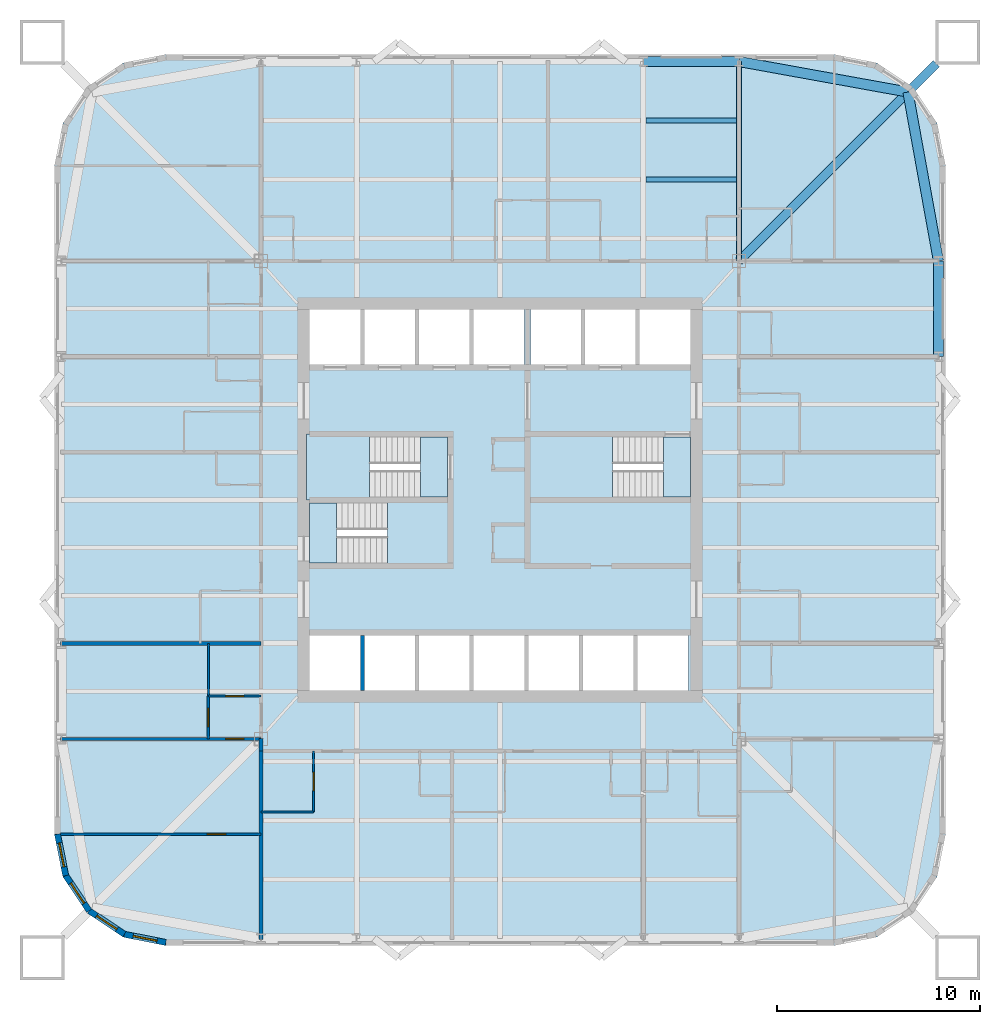
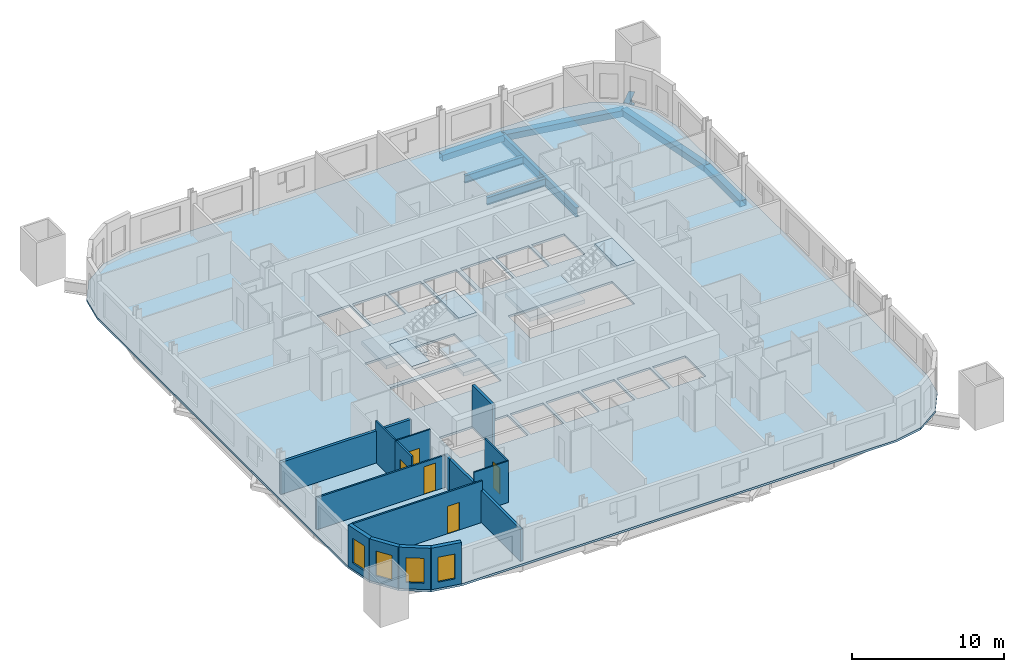
# One storey, part 2 of 10: 15 walls, 8 beams, 7 slabs, 5 doors, 4 windows, 9 openings, 3 elements without a shape of their own.
"""IFC4 building model written with IfcOpenShell, lengths in metres."""

from ifc_helpers import new_model, si_unit, direction, frame, frame_2d, origin, origin_2d, place, context, subcontext, project, spatial, polyline, rectangle, hollow_rectangle, i_section, outline, extrude, material, layer, layer_set, material_profile, profile_set, type_object, element, fill, aggregate, save


model = new_model("IFC4")

# Units and contexts
model_context = context("Model", 3, precision=1e-05, world=origin(), true_north=direction((0.0, 1.0)))
body_context = subcontext(model_context, "Body", "Model", "MODEL_VIEW")
ifc_project = project(units=[si_unit("LENGTHUNIT", "METRE"), si_unit("AREAUNIT", "SQUARE_METRE"), si_unit("VOLUMEUNIT", "CUBIC_METRE"), si_unit("PLANEANGLEUNIT", "RADIAN"), si_unit("MASSUNIT", "GRAM", prefix="KILO")], contexts=[model_context])

# Site, building, storey
site_placement = place(None, origin())
site = spatial("IfcSite", under=ifc_project, at=site_placement, CompositionType="ELEMENT")
building_placement = place(site_placement, origin())
building = spatial("IfcBuilding", under=site, at=building_placement, Name="Turquesa Mirador Hotel Tower", CompositionType="ELEMENT")
storey_placement = place(building_placement, frame((0.0, 0.0, 63.5)))
storey = spatial("IfcBuildingStorey", under=building, at=storey_placement, Name="L16", CompositionType="ELEMENT", Elevation=63.5)

# Beams
ifc_material_1 = material(Name="Steel ASTM A572 Grade 50", Category="steel")
ifc_material_profile_1 = material_profile(ifc_material_1, hollow_rectangle(XDim=0.5, YDim=0.5, WallThickness=0.01611328125, at=origin_2d()), Name="BOX500X500X16")
ifc_profile_set_1 = profile_set([ifc_material_profile_1], Name="Steel ASTM A572 Grade 50")
beam_type_1 = type_object("IfcBeamType", Name="BEAM BOX500X500X16", PredefinedType="BEAM", material=ifc_profile_set_1)
for number, where, z_axis, x_axis, name in (
    (1, (62.080078125, 66.64990234375, -0.419921875), (1.0, 0.0, 0.0), (0.0, 1.0, 0.0), "EB-L16-N-R"),
    (2, (76.64990234375, 52.080078125, -0.419921875), (0.0, 1.0, 0.0), (-1.0, 0.0, 0.0), "EB-L16-E-R"),
):
    element("IfcBeam", number, at=place(storey_placement, frame(where, z_axis=z_axis, x_axis=x_axis)), inside=storey, type_object=beam_type_1, Name=name, PredefinedType="BEAM", context=body_context, shape_type="SweptSolid", body=[
        extrude(hollow_rectangle(XDim=0.5, YDim=0.5, WallThickness=0.01611328125, at=origin_2d()), origin(), (0.0, 0.0, 1.0), 4.719970703125),
    ])
for number, where, z_axis, x_axis, name in (
    (3, (76.64990234375, 56.800048828125, -0.419921875), (-0.177932387818, 0.984042715214, 0.0), (-0.984042715214, -0.177932387818, 0.0), "KE-L16-1-0"),
    (4, (75.1416015625, 65.1416015625, -0.419921875), (-0.984042715214, 0.177932387818, 0.0), (-0.177932387818, -0.984042715214, 0.0), "KE-L16-1-1"),
):
    element("IfcBeam", number, at=place(storey_placement, frame(where, z_axis=z_axis, x_axis=x_axis)), inside=storey, type_object=beam_type_1, Name=name, PredefinedType="BEAM", context=body_context, shape_type="SweptSolid", body=[
        extrude(hollow_rectangle(XDim=0.5, YDim=0.5, WallThickness=0.01611328125, at=origin_2d()), origin(), (0.0, 0.0, 1.0), 8.476806640625),
    ])
ifc_material_2 = material(Name="Steel ASTM A992 Grade 50", Category="steel")
ifc_material_profile_2 = material_profile(ifc_material_2, i_section(OverallWidth=0.228271484375, OverallDepth=0.607177734375, WebThickness=0.01123046875, FlangeThickness=0.017333984375, at=origin_2d()), Name="W24X76")
ifc_profile_set_2 = profile_set([ifc_material_profile_2], Name="Steel ASTM A992 Grade 50")
beam_type_2 = type_object("IfcBeamType", Name="BEAM W24X76", PredefinedType="BEAM", material=ifc_profile_set_2)
for number, where, z_axis, x_axis, name in (
    (5, (62.21337890625, 60.824951171875, -0.4736328125), (1.0, 0.0, 0.0), (0.0, 1.0, 0.0), "IB-L16-N-2-3"),
    (6, (62.21337890625, 63.737060546875, -0.4736328125), (1.0, 0.0, 0.0), (0.0, 1.0, 0.0), "IB-L16-N-3-3"),
):
    element("IfcBeam", number, at=place(storey_placement, frame(where, z_axis=z_axis, x_axis=x_axis)), inside=storey, type_object=beam_type_2, Name=name, PredefinedType="BEAM", context=body_context, shape_type="SweptSolid", body=[
        extrude(i_section(OverallWidth=0.228271484375, OverallDepth=0.607177734375, WebThickness=0.01123046875, FlangeThickness=0.017333984375, at=origin_2d()), origin(), (0.0, 0.0, 1.0), 4.453369140625),
    ])
ifc_material_3 = material(Name="Steel ASTM A992 Grade 50", Category="steel")
ifc_material_profile_3 = material_profile(ifc_material_3, i_section(OverallWidth=0.2666015625, OverallDepth=0.7568359375, WebThickness=0.013916015625, FlangeThickness=0.019287109375, at=origin_2d()), Name="W30X108")
ifc_profile_set_3 = profile_set([ifc_material_profile_3], Name="Steel ASTM A992 Grade 50")
beam_type_3 = type_object("IfcBeamType", Name="BEAM W30X108", PredefinedType="BEAM", material=ifc_profile_set_3)
beam_1_placement = place(storey_placement, frame((66.800048828125, 66.64990234375, -0.54833984375), z_axis=(0.0, -1.0, 0.0), x_axis=(1.0, 0.0, 0.0)))
element("IfcBeam", 7, at=beam_1_placement, inside=storey, type_object=beam_type_3, Name="GK-L16-N-+11.80", PredefinedType="BEAM", context=body_context, shape_type="SweptSolid", body=[
    extrude(i_section(OverallWidth=0.2666015625, OverallDepth=0.7568359375, WebThickness=0.013916015625, FlangeThickness=0.019287109375, at=origin_2d()), origin(), (0.0, 0.0, 1.0), 9.849853515625),
])
ifc_material_4 = material(Name="Steel ASTM A992 Grade 50", Category="steel")
ifc_material_profile_4 = material_profile(ifc_material_4, i_section(OverallWidth=0.419189453125, OverallDepth=0.927001953125, WebThickness=0.019287109375, FlangeThickness=0.031982421875, at=origin_2d()), Name="W36X231")
ifc_profile_set_4 = profile_set([ifc_material_profile_4], Name="Steel ASTM A992 Grade 50")
beam_type_4 = type_object("IfcBeamType", Name="BEAM W36X231", PredefinedType="BEAM", material=ifc_profile_set_4)
beam_2_placement = place(storey_placement, frame((66.800048828125, 56.800048828125, -0.633544921875), z_axis=(0.707106781187, 0.707106781187, 0.0), x_axis=(-0.707106781187, 0.707106781187, 0.0)))
element("IfcBeam", 8, at=beam_2_placement, inside=storey, type_object=beam_type_4, Name="KD-L16-1", PredefinedType="BEAM", context=body_context, shape_type="SweptSolid", body=[
    extrude(i_section(OverallWidth=0.419189453125, OverallDepth=0.927001953125, WebThickness=0.019287109375, FlangeThickness=0.031982421875, at=origin_2d()), origin(), (0.0, 0.0, 1.0), 13.78857421875),
])

# Slab
ifc_material_5 = material(Name="Concrete C28/35", Category="concrete")
ifc_layer_1 = layer(ifc_material_5, 0.169921875)
ifc_layer_set_1 = layer_set([ifc_layer_1], Name="COMPOSITE FLOOR SLAB 170")
slab_type_1 = type_object("IfcSlabType", Name="COMPOSITE FLOOR SLAB 170", PredefinedType="FLOOR", material=ifc_layer_set_1)
slab_1_placement = place(storey_placement, frame((0.0, 0.0, -0.169921875)))
element("IfcSlab", 9, at=slab_1_placement, inside=storey, type_object=slab_type_1, Name="Floor slab L16", PredefinedType="FLOOR", context=body_context, shape_type="SweptSolid", body=[
    extrude(outline(polyline([(71.5, 23.0), (73.604736328125, 23.418701171875), (75.38916015625, 24.61083984375), (76.581298828125, 26.395263671875), (77.0, 28.5), (77.0, 61.5), (76.581298828125, 63.604736328125), (75.38916015625, 65.38916015625), (73.604736328125, 66.581298828125), (71.5, 67.0), (38.5, 67.0), (36.395263671875, 66.581298828125), (34.61083984375, 65.38916015625), (33.418701171875, 63.604736328125), (33.0, 61.5), (33.0, 28.5), (33.418701171875, 26.395263671875), (34.61083984375, 24.61083984375), (36.395263671875, 23.418701171875), (38.5, 23.0), (71.5, 23.0)]), holes=[polyline([(45.60009765625, 51.699951171875), (48.10009765625, 51.699951171875), (48.10009765625, 54.39990234375), (45.60009765625, 54.39990234375), (45.60009765625, 51.699951171875)]), polyline([(48.300048828125, 51.699951171875), (50.800048828125, 51.699951171875), (50.800048828125, 54.39990234375), (48.300048828125, 54.39990234375), (48.300048828125, 51.699951171875)]), polyline([(51.0, 51.699951171875), (53.5, 51.699951171875), (53.5, 54.39990234375), (51.0, 54.39990234375), (51.0, 51.699951171875)]), polyline([(53.699951171875, 51.699951171875), (56.199951171875, 51.699951171875), (56.199951171875, 54.39990234375), (53.699951171875, 54.39990234375), (53.699951171875, 51.699951171875)]), polyline([(56.5, 51.699951171875), (59.0, 51.699951171875), (59.0, 54.39990234375), (56.5, 54.39990234375), (56.5, 51.699951171875)]), polyline([(59.199951171875, 51.699951171875), (61.699951171875, 51.699951171875), (61.699951171875, 54.39990234375), (59.199951171875, 54.39990234375), (59.199951171875, 51.699951171875)]), polyline([(45.60009765625, 35.60009765625), (48.10009765625, 35.60009765625), (48.10009765625, 38.300048828125), (45.60009765625, 38.300048828125), (45.60009765625, 35.60009765625)]), polyline([(48.300048828125, 35.60009765625), (50.800048828125, 35.60009765625), (50.800048828125, 38.300048828125), (48.300048828125, 38.300048828125), (48.300048828125, 35.60009765625)]), polyline([(51.0, 35.60009765625), (53.5, 35.60009765625), (53.5, 38.300048828125), (51.0, 38.300048828125), (51.0, 35.60009765625)]), polyline([(53.699951171875, 35.60009765625), (56.199951171875, 35.60009765625), (56.199951171875, 38.300048828125), (53.699951171875, 38.300048828125), (53.699951171875, 35.60009765625)]), polyline([(56.39990234375, 35.60009765625), (58.89990234375, 35.60009765625), (58.89990234375, 38.300048828125), (56.39990234375, 38.300048828125), (56.39990234375, 35.60009765625)]), polyline([(59.10009765625, 35.60009765625), (61.60009765625, 35.60009765625), (61.60009765625, 38.300048828125), (59.10009765625, 38.300048828125), (59.10009765625, 35.60009765625)]), polyline([(61.800048828125, 35.60009765625), (64.300048828125, 35.60009765625), (64.300048828125, 38.300048828125), (61.800048828125, 38.300048828125), (61.800048828125, 35.60009765625)]), polyline([(45.60009765625, 45.14990234375), (52.39990234375, 45.14990234375), (52.39990234375, 48.10009765625), (45.60009765625, 48.10009765625), (45.60009765625, 45.14990234375)]), polyline([(45.60009765625, 41.89990234375), (52.39990234375, 41.89990234375), (52.39990234375, 44.85009765625), (45.60009765625, 44.85009765625), (45.60009765625, 41.89990234375)]), polyline([(56.5, 45.14990234375), (64.39990234375, 45.14990234375), (64.39990234375, 48.10009765625), (56.5, 48.10009765625), (56.5, 45.14990234375)]), polyline([(61.89990234375, 51.699951171875), (64.39990234375, 51.699951171875), (64.39990234375, 54.39990234375), (61.89990234375, 54.39990234375), (61.89990234375, 51.699951171875)])]), origin(), (0.0, 0.0, 1.0), 0.169921875),
])

# Stair, slabs
ifc_material_6 = material(Name="Concrete C35/45", Category="concrete")
stair_type = type_object("IfcStairType", Name="ESCAPE STAIR CORE", PredefinedType="HALF_TURN_STAIR", material=ifc_material_6)
stair_1_placement = place(storey_placement, origin())
stair_1 = element("IfcStair", 10, at=stair_1_placement, inside=storey, type_object=stair_type, Name="Stair ST1 L16 to L17", PredefinedType="HALF_TURN_STAIR")
ifc_material_7 = material(Name="Concrete C35/45", Category="concrete")
ifc_layer_2 = layer(ifc_material_7, 0.300048828125)
ifc_layer_set_2 = layer_set([ifc_layer_2], Name="STAIR LANDING 300")
slab_type_2 = type_object("IfcSlabType", Name="STAIR LANDING 300", PredefinedType="LANDING", material=ifc_layer_set_2)
slab_2_placement = place(storey_placement, frame((0.0, 0.0, 1.449951171875)))
slab_2 = element("IfcSlab", 11, at=slab_2_placement, type_object=slab_type_2, Name="ST1 landing 1", PredefinedType="LANDING", context=body_context, shape_type="SweptSolid", body=[
    extrude(outline(polyline([(45.449951171875, 45.0), (48.550048828125, 45.0), (48.550048828125, 48.25), (45.449951171875, 48.25), (45.449951171875, 45.0)])), origin(), (0.0, 0.0, 1.0), 0.300048828125),
])
slab_3_placement = place(storey_placement, frame((0.0, 0.0, 3.199951171875)))
slab_3 = element("IfcSlab", 12, at=slab_3_placement, type_object=slab_type_2, Name="ST1 landing 2", PredefinedType="LANDING", context=body_context, shape_type="SweptSolid", body=[
    extrude(outline(polyline([(51.070068359375, 45.14990234375), (52.39990234375, 45.14990234375), (52.39990234375, 48.10009765625), (51.070068359375, 48.10009765625), (51.070068359375, 45.14990234375)])), origin(), (0.0, 0.0, 1.0), 0.300048828125),
])
aggregate(stair_1, [slab_2, slab_3])

stair_2_placement = place(storey_placement, origin())
stair_2 = element("IfcStair", 13, at=stair_2_placement, inside=storey, type_object=stair_type, Name="Stair ST2 L16 to L17", PredefinedType="HALF_TURN_STAIR")
slab_4_placement = place(storey_placement, frame((0.0, 0.0, 1.449951171875)))
slab_4 = element("IfcSlab", 14, at=slab_4_placement, type_object=slab_type_2, Name="ST2 landing 1", PredefinedType="LANDING", context=body_context, shape_type="SweptSolid", body=[
    extrude(outline(polyline([(52.550048828125, 45.0), (49.449951171875, 45.0), (49.449951171875, 41.75), (52.550048828125, 41.75), (52.550048828125, 45.0)])), origin(), (0.0, 0.0, 1.0), 0.300048828125),
])
slab_5_placement = place(storey_placement, frame((0.0, 0.0, 3.199951171875)))
slab_5 = element("IfcSlab", 15, at=slab_5_placement, type_object=slab_type_2, Name="ST2 landing 2", PredefinedType="LANDING", context=body_context, shape_type="SweptSolid", body=[
    extrude(outline(polyline([(46.929931640625, 44.85009765625), (45.60009765625, 44.85009765625), (45.60009765625, 41.89990234375), (46.929931640625, 41.89990234375), (46.929931640625, 44.85009765625)])), origin(), (0.0, 0.0, 1.0), 0.300048828125),
])
aggregate(stair_2, [slab_4, slab_5])

stair_3_placement = place(storey_placement, origin())
stair_3 = element("IfcStair", 16, at=stair_3_placement, inside=storey, type_object=stair_type, Name="Stair ST3 L16 to L17", PredefinedType="HALF_TURN_STAIR")
slab_6_placement = place(storey_placement, frame((0.0, 0.0, 1.449951171875)))
slab_6 = element("IfcSlab", 17, at=slab_6_placement, type_object=slab_type_2, Name="ST3 landing 1", PredefinedType="LANDING", context=body_context, shape_type="SweptSolid", body=[
    extrude(outline(polyline([(56.35009765625, 45.0), (60.550048828125, 45.0), (60.550048828125, 48.25), (56.35009765625, 48.25), (56.35009765625, 45.0)])), origin(), (0.0, 0.0, 1.0), 0.300048828125),
])
slab_7_placement = place(storey_placement, frame((0.0, 0.0, 3.199951171875)))
slab_7 = element("IfcSlab", 18, at=slab_7_placement, type_object=slab_type_2, Name="ST3 landing 2", PredefinedType="LANDING", context=body_context, shape_type="SweptSolid", body=[
    extrude(outline(polyline([(63.070068359375, 45.14990234375), (64.39990234375, 45.14990234375), (64.39990234375, 48.10009765625), (63.070068359375, 48.10009765625), (63.070068359375, 45.14990234375)])), origin(), (0.0, 0.0, 1.0), 0.300048828125),
])
aggregate(stair_3, [slab_6, slab_7])

# Wall
ifc_material_8 = material(Name="Gypsum board on steel studs", Category="steel")
ifc_layer_3 = layer(ifc_material_8, 0.10009765625)
ifc_layer_set_3 = layer_set([ifc_layer_3], Name="BATHROOM WALL 100")
wall_type_1 = type_object("IfcWallType", Name="BATHROOM WALL 100", PredefinedType="PARTITIONING", material=ifc_layer_set_3)
wall_1_placement = place(storey_placement, frame((43.199951171875, 29.60009765625, 0.0), z_axis=(0.0, 0.0, 1.0), x_axis=(1.0, 0.0, 0.0)))
element("IfcWall", 19, at=wall_1_placement, inside=storey, type_object=wall_type_1, Name="Partition L16 009", PredefinedType="PARTITIONING", context=body_context, shape_type="SweptSolid", body=[
    extrude(rectangle(XDim=2.60009765625, YDim=0.10009765625, at=frame_2d((1.300048828125, 0.0))), origin(), (0.0, 0.0, 1.0), 3.330078125),
])

# Wall, opening, door
wall_2_placement = place(storey_placement, frame((40.60009765625, 35.320068359375, 0.0), z_axis=(0.0, 0.0, 1.0), x_axis=(1.0, 0.0, 0.0)))
wall_2 = element("IfcWall", 20, at=wall_2_placement, inside=storey, type_object=wall_type_1, Name="Partition L16 018", PredefinedType="PARTITIONING", context=body_context, shape_type="SweptSolid", body=[
    extrude(rectangle(XDim=2.599853515625, YDim=0.10009765625, at=frame_2d((1.2998046875, 0.0))), origin(), (0.0, 0.0, 1.0), 3.330078125),
])
opening_1_placement = place(wall_2_placement, frame((0.85009765625, 0.0, 0.0)))
opening_1 = element("IfcOpeningElement", 21, at=opening_1_placement, cuts=wall_2, Name="Opening D02", PredefinedType="OPENING", context=body_context, shape_type="SweptSolid", body=[
    extrude(rectangle(XDim=0.89990234375, YDim=2.10009765625, at=frame_2d((0.449951171875, 1.050048828125))), frame((0.0, 0.06005859375, 0.0), z_axis=(0.0, -1.0, 0.0), x_axis=(1.0, 0.0, 0.0)), (0.0, 0.0, 1.0), 0.1201171875),
])
ifc_material_9 = material(Name="Timber veneered door", Category="wood")
door_type_1 = type_object("IfcDoorType", Name="DOOR 900X2100 EN-SUITE", OperationType="SINGLE_SWING_RIGHT", PredefinedType="DOOR", material=ifc_material_9)
door_1_placement = place(opening_1_placement, origin())
door_1 = element("IfcDoor", 22, at=door_1_placement, inside=storey, type_object=door_type_1, Name="Door 1612B", OperationType="SINGLE_SWING_RIGHT", OverallHeight=2.10009765625, OverallWidth=0.89990234375, PredefinedType="DOOR", context=body_context, shape_type="SweptSolid", body=[
    extrude(rectangle(XDim=0.89990234375, YDim=2.10009765625, at=frame_2d((0.449951171875, 1.050048828125))), frame((0.0, 0.02490234375, 0.0), z_axis=(0.0, -1.0, 0.0), x_axis=(1.0, 0.0, 0.0)), (0.0, 0.0, 1.0), 0.050048828125),
])
fill(opening_1, door_1)

# Wall
wall_3_placement = place(storey_placement, frame((40.60009765625, 35.320068359375, 0.0), z_axis=(0.0, 0.0, 1.0), x_axis=(0.0, 1.0, 0.0)))
element("IfcWall", 23, at=wall_3_placement, inside=storey, type_object=wall_type_1, Name="Partition L16 046", PredefinedType="PARTITIONING", context=body_context, shape_type="SweptSolid", body=[
    extrude(rectangle(XDim=2.599853515625, YDim=0.10009765625, at=frame_2d((1.2998046875, 0.0))), origin(), (0.0, 0.0, 1.0), 3.330078125),
])

# Wall, opening, door
wall_4_placement = place(storey_placement, frame((45.800048828125, 29.60009765625, 0.0), z_axis=(0.0, 0.0, 1.0), x_axis=(0.0, 1.0, 0.0)))
wall_4 = element("IfcWall", 24, at=wall_4_placement, inside=storey, type_object=wall_type_1, Name="Partition L16 055", PredefinedType="PARTITIONING", context=body_context, shape_type="SweptSolid", body=[
    extrude(rectangle(XDim=3.0, YDim=0.10009765625, at=frame_2d((1.5, 0.0))), origin(), (0.0, 0.0, 1.0), 3.330078125),
])
opening_2_placement = place(wall_4_placement, frame((1.050048828125, 0.0, 0.0)))
opening_2 = element("IfcOpeningElement", 25, at=opening_2_placement, cuts=wall_4, Name="Opening D02", PredefinedType="OPENING", context=body_context, shape_type="SweptSolid", body=[
    extrude(rectangle(XDim=0.89990234375, YDim=2.10009765625, at=frame_2d((0.449951171875, 1.050048828125))), frame((0.0, 0.06005859375, 0.0), z_axis=(0.0, -1.0, 0.0), x_axis=(1.0, 0.0, 0.0)), (0.0, 0.0, 1.0), 0.1201171875),
])
door_2_placement = place(opening_2_placement, origin())
door_2 = element("IfcDoor", 26, at=door_2_placement, inside=storey, type_object=door_type_1, Name="Door 1603B", OperationType="SINGLE_SWING_RIGHT", OverallHeight=2.10009765625, OverallWidth=0.89990234375, PredefinedType="DOOR", context=body_context, shape_type="SweptSolid", body=[
    extrude(rectangle(XDim=0.89990234375, YDim=2.10009765625, at=frame_2d((0.449951171875, 1.050048828125))), frame((0.0, 0.02490234375, 0.0), z_axis=(0.0, -1.0, 0.0), x_axis=(1.0, 0.0, 0.0)), (0.0, 0.0, 1.0), 0.050048828125),
])
fill(opening_2, door_2)

# Wall
ifc_material_10 = material(Name="Fire-rated gypsum board on steel studs", Category="steel")
ifc_layer_4 = layer(ifc_material_10, 0.199951171875)
ifc_layer_set_4 = layer_set([ifc_layer_4], Name="CORRIDOR WALL 200")
wall_type_2 = type_object("IfcWallType", Name="CORRIDOR WALL 200", PredefinedType="PARTITIONING", material=ifc_layer_set_4)
wall_5_placement = place(storey_placement, frame((43.199951171875, 32.60009765625, 0.0), z_axis=(0.0, 0.0, 1.0), x_axis=(0.0, 1.0, 0.0)))
element("IfcWall", 27, at=wall_5_placement, inside=storey, type_object=wall_type_2, Name="Partition L16 077", PredefinedType="PARTITIONING", context=body_context, shape_type="SweptSolid", body=[
    extrude(rectangle(XDim=0.619873046875, YDim=0.199951171875, at=frame_2d((0.31005859375, 0.0))), origin(), (0.0, 0.0, 1.0), 2.572998046875),
])

# Wall, opening, window
ifc_material_11 = material(Name="Limestone cladding on concrete block", Category="masonry")
ifc_layer_5 = layer(ifc_material_11, 0.300048828125)
ifc_layer_set_5 = layer_set([ifc_layer_5], Name="FACADE WALL 300 STONE SCREEN")
wall_type_3 = type_object("IfcWallType", Name="FACADE WALL 300 STONE SCREEN", PredefinedType="SOLIDWALL", material=ifc_layer_set_5)
wall_6_placement = place(storey_placement, frame((33.14990234375, 28.5, 0.0), z_axis=(0.0, 0.0, 1.0), x_axis=(0.195081421501, -0.980787050784, 0.0)))
wall_6 = element("IfcWall", 28, at=wall_6_placement, inside=storey, type_object=wall_type_3, Name="Facade wall L16 15", PredefinedType="SOLIDWALL", context=body_context, shape_type="SweptSolid", body=[
    extrude(rectangle(XDim=2.08740234375, YDim=0.300048828125, at=frame_2d((1.043701171875, 0.0))), origin(), (0.0, 0.0, 1.0), 3.330078125),
])
opening_3_placement = place(wall_6_placement, frame((0.443603515625, 0.0, 0.5)))
opening_3 = element("IfcOpeningElement", 29, at=opening_3_placement, cuts=wall_6, Name="Opening WN4", PredefinedType="OPENING", context=body_context, shape_type="SweptSolid", body=[
    extrude(rectangle(XDim=1.199951171875, YDim=2.0, at=frame_2d((0.60009765625, 1.0))), frame((0.0, 0.159912109375, 0.0), z_axis=(0.0, -1.0, 0.0), x_axis=(1.0, 0.0, 0.0)), (0.0, 0.0, 1.0), 0.320068359375),
])
ifc_material_12 = material(Name="Ceramic-fritted laminated glass", Category="glass")
window_type = type_object("IfcWindowType", Name="FRITTED CORNER WINDOW 1200X2000", PartitioningType="DOUBLE_PANEL_HORIZONTAL", PredefinedType="WINDOW", material=ifc_material_12)
window_1_placement = place(opening_3_placement, origin())
window_1 = element("IfcWindow", 30, at=window_1_placement, inside=storey, type_object=window_type, Name="Window L16", OverallHeight=2.0, OverallWidth=1.199951171875, PartitioningType="SINGLE_PANEL", PredefinedType="WINDOW", context=body_context, shape_type="SweptSolid", body=[
    extrude(rectangle(XDim=1.199951171875, YDim=2.0, at=frame_2d((0.60009765625, 1.0))), frame((0.0, 0.030029296875, 0.0), z_axis=(0.0, -1.0, 0.0), x_axis=(1.0, 0.0, 0.0)), (0.0, 0.0, 1.0), 0.06005859375),
])
fill(opening_3, window_1)

wall_7_placement = place(storey_placement, frame((33.55712890625, 26.45263671875, 0.0), z_axis=(0.0, 0.0, 1.0), x_axis=(0.555644460423, -0.831420010345, 0.0)))
wall_7 = element("IfcWall", 31, at=wall_7_placement, inside=storey, type_object=wall_type_3, Name="Facade wall L16 16", PredefinedType="SOLIDWALL", context=body_context, shape_type="SweptSolid", body=[
    extrude(rectangle(XDim=2.08740234375, YDim=0.300048828125, at=frame_2d((1.043701171875, 0.0))), origin(), (0.0, 0.0, 1.0), 3.330078125),
])
opening_4_placement = place(wall_7_placement, frame((0.443603515625, 0.0, 0.5)))
opening_4 = element("IfcOpeningElement", 32, at=opening_4_placement, cuts=wall_7, Name="Opening WN4", PredefinedType="OPENING", context=body_context, shape_type="SweptSolid", body=[
    extrude(rectangle(XDim=1.199951171875, YDim=2.0, at=frame_2d((0.60009765625, 1.0))), frame((0.0, 0.159912109375, 0.0), z_axis=(0.0, -1.0, 0.0), x_axis=(1.0, 0.0, 0.0)), (0.0, 0.0, 1.0), 0.320068359375),
])
window_2_placement = place(opening_4_placement, origin())
window_2 = element("IfcWindow", 33, at=window_2_placement, inside=storey, type_object=window_type, Name="Window L16", OverallHeight=2.0, OverallWidth=1.199951171875, PartitioningType="SINGLE_PANEL", PredefinedType="WINDOW", context=body_context, shape_type="SweptSolid", body=[
    extrude(rectangle(XDim=1.199951171875, YDim=2.0, at=frame_2d((0.60009765625, 1.0))), frame((0.0, 0.030029296875, 0.0), z_axis=(0.0, -1.0, 0.0), x_axis=(1.0, 0.0, 0.0)), (0.0, 0.0, 1.0), 0.06005859375),
])
fill(opening_4, window_2)

wall_8_placement = place(storey_placement, frame((34.717041015625, 24.717041015625, 0.0), z_axis=(0.0, 0.0, 1.0), x_axis=(0.831420010345, -0.555644460423, 0.0)))
wall_8 = element("IfcWall", 34, at=wall_8_placement, inside=storey, type_object=wall_type_3, Name="Facade wall L16 17", PredefinedType="SOLIDWALL", context=body_context, shape_type="SweptSolid", body=[
    extrude(rectangle(XDim=2.08740234375, YDim=0.300048828125, at=frame_2d((1.043701171875, 0.0))), origin(), (0.0, 0.0, 1.0), 3.330078125),
])
opening_5_placement = place(wall_8_placement, frame((0.443603515625, 0.0, 0.5)))
opening_5 = element("IfcOpeningElement", 35, at=opening_5_placement, cuts=wall_8, Name="Opening WN4", PredefinedType="OPENING", context=body_context, shape_type="SweptSolid", body=[
    extrude(rectangle(XDim=1.199951171875, YDim=2.0, at=frame_2d((0.60009765625, 1.0))), frame((0.0, 0.159912109375, 0.0), z_axis=(0.0, -1.0, 0.0), x_axis=(1.0, 0.0, 0.0)), (0.0, 0.0, 1.0), 0.320068359375),
])
window_3_placement = place(opening_5_placement, origin())
window_3 = element("IfcWindow", 36, at=window_3_placement, inside=storey, type_object=window_type, Name="Window L16", OverallHeight=2.0, OverallWidth=1.199951171875, PartitioningType="SINGLE_PANEL", PredefinedType="WINDOW", context=body_context, shape_type="SweptSolid", body=[
    extrude(rectangle(XDim=1.199951171875, YDim=2.0, at=frame_2d((0.60009765625, 1.0))), frame((0.0, 0.030029296875, 0.0), z_axis=(0.0, -1.0, 0.0), x_axis=(1.0, 0.0, 0.0)), (0.0, 0.0, 1.0), 0.06005859375),
])
fill(opening_5, window_3)

wall_9_placement = place(storey_placement, frame((36.45263671875, 23.55712890625, 0.0), z_axis=(0.0, 0.0, 1.0), x_axis=(0.980787050784, -0.195081421501, 0.0)))
wall_9 = element("IfcWall", 37, at=wall_9_placement, inside=storey, type_object=wall_type_3, Name="Facade wall L16 18", PredefinedType="SOLIDWALL", context=body_context, shape_type="SweptSolid", body=[
    extrude(rectangle(XDim=2.08740234375, YDim=0.300048828125, at=frame_2d((1.043701171875, 0.0))), origin(), (0.0, 0.0, 1.0), 3.330078125),
])
opening_6_placement = place(wall_9_placement, frame((0.443603515625, 0.0, 0.5)))
opening_6 = element("IfcOpeningElement", 38, at=opening_6_placement, cuts=wall_9, Name="Opening WN4", PredefinedType="OPENING", context=body_context, shape_type="SweptSolid", body=[
    extrude(rectangle(XDim=1.199951171875, YDim=2.0, at=frame_2d((0.60009765625, 1.0))), frame((0.0, 0.159912109375, 0.0), z_axis=(0.0, -1.0, 0.0), x_axis=(1.0, 0.0, 0.0)), (0.0, 0.0, 1.0), 0.320068359375),
])
window_4_placement = place(opening_6_placement, origin())
window_4 = element("IfcWindow", 39, at=window_4_placement, inside=storey, type_object=window_type, Name="Window L16", OverallHeight=2.0, OverallWidth=1.199951171875, PartitioningType="SINGLE_PANEL", PredefinedType="WINDOW", context=body_context, shape_type="SweptSolid", body=[
    extrude(rectangle(XDim=1.199951171875, YDim=2.0, at=frame_2d((0.60009765625, 1.0))), frame((0.0, 0.030029296875, 0.0), z_axis=(0.0, -1.0, 0.0), x_axis=(1.0, 0.0, 0.0)), (0.0, 0.0, 1.0), 0.06005859375),
])
fill(opening_6, window_4)

# Walls
ifc_material_13 = material(Name="Fire-rated gypsum shaft wall on steel studs", Category="steel")
ifc_layer_6 = layer(ifc_material_13, 0.199951171875)
ifc_layer_set_6 = layer_set([ifc_layer_6], Name="LIFT SHAFT DIVIDER 200")
wall_type_4 = type_object("IfcWallType", Name="LIFT SHAFT DIVIDER 200", PredefinedType="PARTITIONING", material=ifc_layer_set_6)
wall_10_placement = place(storey_placement, frame((48.199951171875, 35.60009765625, 0.0), z_axis=(0.0, 0.0, 1.0), x_axis=(0.0, 1.0, 0.0)))
element("IfcWall", 40, at=wall_10_placement, inside=storey, type_object=wall_type_4, Name="Lift shaft divider", PredefinedType="PARTITIONING", context=body_context, shape_type="SweptSolid", body=[
    extrude(rectangle(XDim=2.699951171875, YDim=0.199951171875, at=frame_2d((1.35009765625, 0.0))), origin(), (0.0, 0.0, 1.0), 3.330078125),
])
ifc_material_14 = material(Name="Fire-rated gypsum board on steel studs", Category="steel")
ifc_layer_7 = layer(ifc_material_14, 0.199951171875)
ifc_layer_set_7 = layer_set([ifc_layer_7], Name="PARTY WALL 200")
wall_type_5 = type_object("IfcWallType", Name="PARTY WALL 200", PredefinedType="PARTITIONING", material=ifc_layer_set_7)
wall_11_placement = place(storey_placement, frame((33.300048828125, 37.919921875, 0.0), z_axis=(0.0, 0.0, 1.0), x_axis=(1.0, 0.0, 0.0)))
element("IfcWall", 41, at=wall_11_placement, inside=storey, type_object=wall_type_5, Name="Partition L16 015", PredefinedType="PARTITIONING", context=body_context, shape_type="SweptSolid", body=[
    extrude(rectangle(XDim=9.89990234375, YDim=0.199951171875, at=frame_2d((4.949951171875, 0.0))), origin(), (0.0, 0.0, 1.0), 2.572998046875),
])
wall_12_placement = place(storey_placement, frame((43.199951171875, 23.300048828125, 0.0), z_axis=(0.0, 0.0, 1.0), x_axis=(0.0, 1.0, 0.0)))
element("IfcWall", 42, at=wall_12_placement, inside=storey, type_object=wall_type_5, Name="Partition L16 042", PredefinedType="PARTITIONING", context=body_context, shape_type="SweptSolid", body=[
    extrude(rectangle(XDim=9.300048828125, YDim=0.199951171875, at=frame_2d((4.64990234375, 0.0))), origin(), (0.0, 0.0, 1.0), 2.572998046875),
])

# Wall, opening, door
ifc_material_15 = material(Name="Acoustic gypsum board on steel studs", Category="steel")
ifc_layer_8 = layer(ifc_material_15, 0.125)
ifc_layer_set_8 = layer_set([ifc_layer_8], Name="SUITE PARTITION 125")
wall_type_6 = type_object("IfcWallType", Name="SUITE PARTITION 125", PredefinedType="PARTITIONING", material=ifc_layer_set_8)
wall_13_placement = place(storey_placement, frame((33.300048828125, 33.199951171875, 0.0), z_axis=(0.0, 0.0, 1.0), x_axis=(1.0, 0.0, 0.0)))
wall_13 = element("IfcWall", 43, at=wall_13_placement, inside=storey, type_object=wall_type_6, Name="Partition L16 002", PredefinedType="PARTITIONING", context=body_context, shape_type="SweptSolid", body=[
    extrude(rectangle(XDim=9.89990234375, YDim=0.125, at=frame_2d((4.949951171875, 0.0))), origin(), (0.0, 0.0, 1.0), 2.572998046875),
])
opening_7_placement = place(wall_13_placement, frame((8.14990234375, 0.0, 0.0)))
opening_7 = element("IfcOpeningElement", 44, at=opening_7_placement, cuts=wall_13, Name="Opening D17", PredefinedType="OPENING", context=body_context, shape_type="SweptSolid", body=[
    extrude(rectangle(XDim=0.89990234375, YDim=2.199951171875, at=frame_2d((0.449951171875, 1.10009765625))), frame((0.0, 0.072509765625, 0.0), z_axis=(0.0, -1.0, 0.0), x_axis=(1.0, 0.0, 0.0)), (0.0, 0.0, 1.0), 0.14501953125),
])
ifc_material_16 = material(Name="Timber veneered door", Category="wood")
door_type_2 = type_object("IfcDoorType", Name="DOOR 900X2200 SUITE INTERNAL", OperationType="SINGLE_SWING_LEFT", PredefinedType="DOOR", material=ifc_material_16)
door_3_placement = place(opening_7_placement, origin())
door_3 = element("IfcDoor", 45, at=door_3_placement, inside=storey, type_object=door_type_2, Name="Door 1612", OperationType="SINGLE_SWING_LEFT", OverallHeight=2.199951171875, OverallWidth=0.89990234375, PredefinedType="DOOR", context=body_context, shape_type="SweptSolid", body=[
    extrude(rectangle(XDim=0.89990234375, YDim=2.199951171875, at=frame_2d((0.449951171875, 1.10009765625))), frame((0.0, 0.02490234375, 0.0), z_axis=(0.0, -1.0, 0.0), x_axis=(1.0, 0.0, 0.0)), (0.0, 0.0, 1.0), 0.050048828125),
])
fill(opening_7, door_3)

wall_14_placement = place(storey_placement, frame((33.305908203125, 28.5, 0.0), z_axis=(0.0, 0.0, 1.0), x_axis=(1.0, 0.0, 0.0)))
wall_14 = element("IfcWall", 46, at=wall_14_placement, inside=storey, type_object=wall_type_6, Name="Partition L16 012", PredefinedType="PARTITIONING", context=body_context, shape_type="SweptSolid", body=[
    extrude(rectangle(XDim=9.89404296875, YDim=0.125, at=frame_2d((4.947021484375, 0.0))), origin(), (0.0, 0.0, 1.0), 3.330078125),
])
opening_8_placement = place(wall_14_placement, frame((7.244140625, 0.0, 0.0)))
opening_8 = element("IfcOpeningElement", 47, at=opening_8_placement, cuts=wall_14, Name="Opening D17", PredefinedType="OPENING", context=body_context, shape_type="SweptSolid", body=[
    extrude(rectangle(XDim=0.89990234375, YDim=2.199951171875, at=frame_2d((0.449951171875, 1.10009765625))), frame((0.0, 0.072509765625, 0.0), z_axis=(0.0, -1.0, 0.0), x_axis=(1.0, 0.0, 0.0)), (0.0, 0.0, 1.0), 0.14501953125),
])
door_4_placement = place(opening_8_placement, origin())
door_4 = element("IfcDoor", 48, at=door_4_placement, inside=storey, type_object=door_type_2, Name="Door 1612M", OperationType="SINGLE_SWING_LEFT", OverallHeight=2.199951171875, OverallWidth=0.89990234375, PredefinedType="DOOR", context=body_context, shape_type="SweptSolid", body=[
    extrude(rectangle(XDim=0.89990234375, YDim=2.199951171875, at=frame_2d((0.449951171875, 1.10009765625))), frame((0.0, 0.02490234375, 0.0), z_axis=(0.0, -1.0, 0.0), x_axis=(1.0, 0.0, 0.0)), (0.0, 0.0, 1.0), 0.050048828125),
])
fill(opening_8, door_4)

wall_15_placement = place(storey_placement, frame((40.60009765625, 33.199951171875, 0.0), z_axis=(0.0, 0.0, 1.0), x_axis=(0.0, 1.0, 0.0)))
wall_15 = element("IfcWall", 49, at=wall_15_placement, inside=storey, type_object=wall_type_6, Name="Partition L16 048", PredefinedType="PARTITIONING", context=body_context, shape_type="SweptSolid", body=[
    extrude(rectangle(XDim=2.1201171875, YDim=0.125, at=frame_2d((1.06005859375, 0.0))), origin(), (0.0, 0.0, 1.0), 3.330078125),
])
opening_9_placement = place(wall_15_placement, frame((0.610107421875, 0.0, 0.0)))
opening_9 = element("IfcOpeningElement", 50, at=opening_9_placement, cuts=wall_15, Name="Opening D17", PredefinedType="OPENING", context=body_context, shape_type="SweptSolid", body=[
    extrude(rectangle(XDim=0.89990234375, YDim=2.199951171875, at=frame_2d((0.449951171875, 1.10009765625))), frame((0.0, 0.072509765625, 0.0), z_axis=(0.0, -1.0, 0.0), x_axis=(1.0, 0.0, 0.0)), (0.0, 0.0, 1.0), 0.14501953125),
])
door_5_placement = place(opening_9_placement, origin())
door_5 = element("IfcDoor", 51, at=door_5_placement, inside=storey, type_object=door_type_2, Name="Door 1612R", OperationType="SINGLE_SWING_LEFT", OverallHeight=2.199951171875, OverallWidth=0.89990234375, PredefinedType="DOOR", context=body_context, shape_type="SweptSolid", body=[
    extrude(rectangle(XDim=0.89990234375, YDim=2.199951171875, at=frame_2d((0.449951171875, 1.10009765625))), frame((0.0, 0.02490234375, 0.0), z_axis=(0.0, -1.0, 0.0), x_axis=(1.0, 0.0, 0.0)), (0.0, 0.0, 1.0), 0.050048828125),
])
fill(opening_9, door_5)

save(model, "model.ifc")
